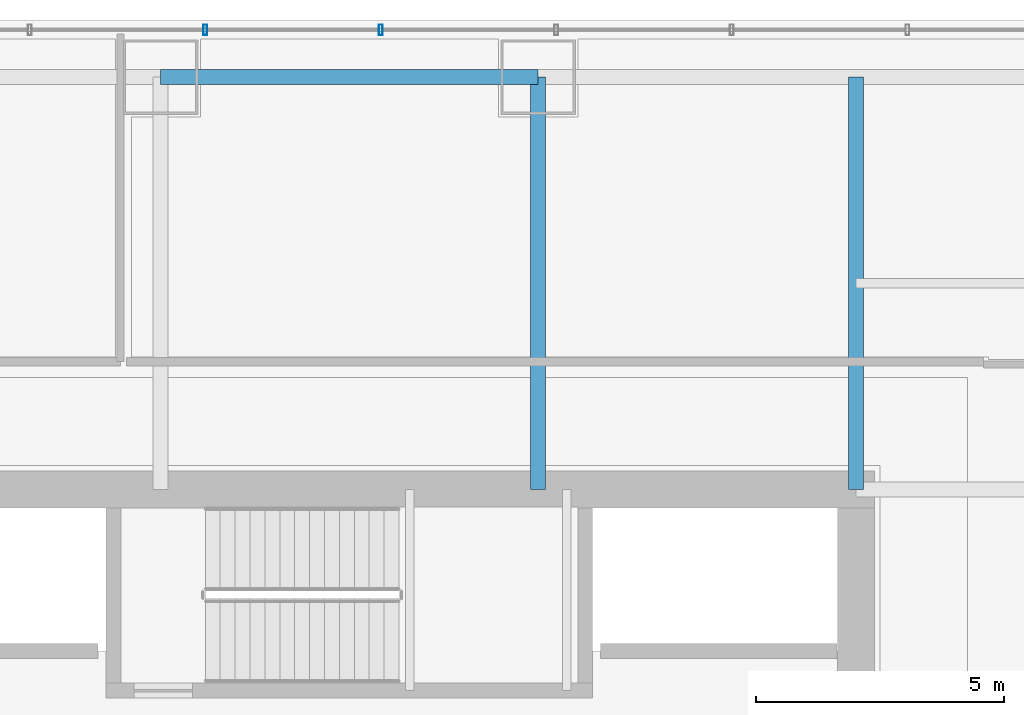
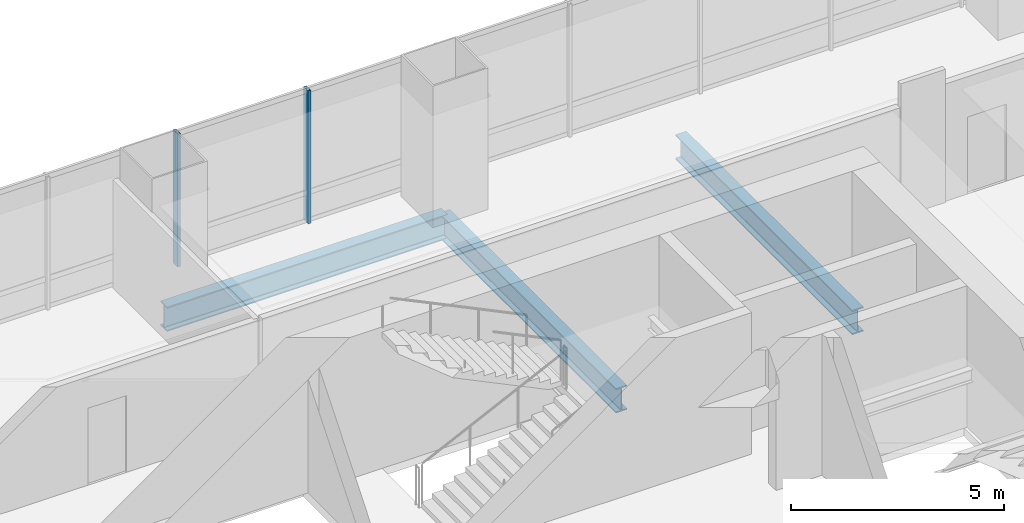
# One storey, part 20 of 34: 3 beams, 2 members, 1 element without a shape of its own.
"""IFC4 building model written with IfcOpenShell, lengths in metres."""

from ifc_helpers import new_model, si_unit, direction, frame, origin, origin_2d, place, context, subcontext, project, spatial, hollow_rectangle, i_section, extrude, material, material_profile, profile_set, type_object, element, aggregate, save


model = new_model("IFC4")

# Units and contexts
model_context = context("Model", 3, precision=1e-05, world=origin(), true_north=direction((0.0, 1.0)))
body_context = subcontext(model_context, "Body", "Model", "MODEL_VIEW")
ifc_project = project(units=[si_unit("LENGTHUNIT", "METRE"), si_unit("AREAUNIT", "SQUARE_METRE"), si_unit("VOLUMEUNIT", "CUBIC_METRE"), si_unit("PLANEANGLEUNIT", "RADIAN"), si_unit("MASSUNIT", "GRAM", prefix="KILO")], contexts=[model_context])

# Site, building, storey
site_placement = place(None, origin())
site = spatial("IfcSite", under=ifc_project, at=site_placement, CompositionType="ELEMENT")
building_placement = place(site_placement, origin())
building = spatial("IfcBuilding", under=site, at=building_placement, Name="Punatoya Terracotta Tower", CompositionType="ELEMENT")
storey_placement = place(building_placement, frame((0.0, 0.0, 84.89990234375)))
storey = spatial("IfcBuildingStorey", under=building, at=storey_placement, Name="L19", CompositionType="ELEMENT", Elevation=84.89990234375)

# Beams
ifc_material_1 = material(Name="Steel S355", Category="steel")
ifc_material_profile_1 = material_profile(ifc_material_1, i_section(OverallWidth=0.300048828125, OverallDepth=0.699951171875, WebThickness=0.01708984375, FlangeThickness=0.031982421875, FilletRadius=0.01806640625, at=origin_2d()))
ifc_profile_set_1 = profile_set([ifc_material_profile_1], Name="Steel S355")
beam_type = type_object("IfcBeamType", Name="BM-PRI-700", PredefinedType="BEAM", material=ifc_profile_set_1)
beam_placement = place(storey_placement, frame((-3.800048828125, 17.5, -0.58984375), z_axis=(1.0, 0.0, 0.0), x_axis=(0.0, 1.0, 0.0)))
element("IfcBeam", 1, at=beam_placement, inside=storey, type_object=beam_type, Name="BM-L19-RG-N2", PredefinedType="BEAM", context=body_context, shape_type="SweptSolid", body=[
    extrude(i_section(OverallWidth=0.300048828125, OverallDepth=0.699951171875, WebThickness=0.01708984375, FlangeThickness=0.031982421875, FilletRadius=0.01806640625, at=origin_2d()), origin(), (0.0, 0.0, 1.0), 7.60009765625),
])
for number, where, z_axis, x_axis, name in (
    (2, (3.800048828125, 9.199951171875, -0.58984375), (0.0, 1.0, 0.0), (-1.0, 0.0, 0.0), "BM-L19-PR-N3"),
    (3, (10.199951171875, 9.199951171875, -0.58984375), (0.0, 1.0, 0.0), (-1.0, 0.0, 0.0), "BM-L19-PR-N4"),
):
    element("IfcBeam", number, at=place(storey_placement, frame(where, z_axis=z_axis, x_axis=x_axis)), inside=storey, type_object=beam_type, Name=name, PredefinedType="BEAM", context=body_context, shape_type="SweptSolid", body=[
        extrude(i_section(OverallWidth=0.300048828125, OverallDepth=0.699951171875, WebThickness=0.01708984375, FlangeThickness=0.031982421875, FilletRadius=0.01806640625, at=origin_2d()), origin(), (0.0, 0.0, 1.0), 8.300048828125),
    ])

# Curtain wall, members
ifc_material_2 = material(Name="Aluminium 6063-T6 + Double Low-E Glass", Category="aluminium")
curtain_wall_type = type_object("IfcCurtainWallType", Name="CW-M1", PredefinedType="NOTDEFINED", material=ifc_material_2)
curtain_wall_placement = place(storey_placement, origin())
curtain_wall = element("IfcCurtainWall", 4, at=curtain_wall_placement, inside=storey, type_object=curtain_wall_type, Name="L19 Curtain Wall CW-L19-N09-1", PredefinedType="NOTDEFINED")
ifc_material_3 = material(Name="Aluminium 6063-T6", Category="aluminium")
ifc_material_profile_2 = material_profile(ifc_material_3, hollow_rectangle(XDim=0.074951171875, YDim=0.2099609375, WallThickness=0.00439453125, at=origin_2d()))
ifc_profile_set_2 = profile_set([ifc_material_profile_2], Name="Aluminium 6063-T6")
member_type = type_object("IfcMemberType", Name="CW-MUL-M1", PredefinedType="MULLION", material=ifc_profile_set_2)
member_1_placement = place(storey_placement, frame((0.633056640625, 18.449951171875, 0.0), z_axis=(0.0, 0.0, 1.0), x_axis=(1.0, 0.0, 0.0)))
member_1 = element("IfcMember", 5, at=member_1_placement, type_object=member_type, Name="CW-L19-N09-1 Mullion 06", PredefinedType="MULLION", context=body_context, shape_type="SweptSolid", body=[
    extrude(hollow_rectangle(XDim=0.074951171875, YDim=0.2099609375, WallThickness=0.00439453125, at=origin_2d()), origin(), (0.0, 0.0, 1.0), 3.81005859375),
])
member_2_placement = place(storey_placement, frame((-2.90087890625, 18.449951171875, 0.0), z_axis=(0.0, 0.0, 1.0), x_axis=(1.0, 0.0, 0.0)))
member_2 = element("IfcMember", 6, at=member_2_placement, type_object=member_type, Name="CW-L19-N09-1 Mullion 07", PredefinedType="MULLION", context=body_context, shape_type="SweptSolid", body=[
    extrude(hollow_rectangle(XDim=0.074951171875, YDim=0.2099609375, WallThickness=0.00439453125, at=origin_2d()), origin(), (0.0, 0.0, 1.0), 3.81005859375),
])
aggregate(curtain_wall, [member_1, member_2])

save(model, "model.ifc")
